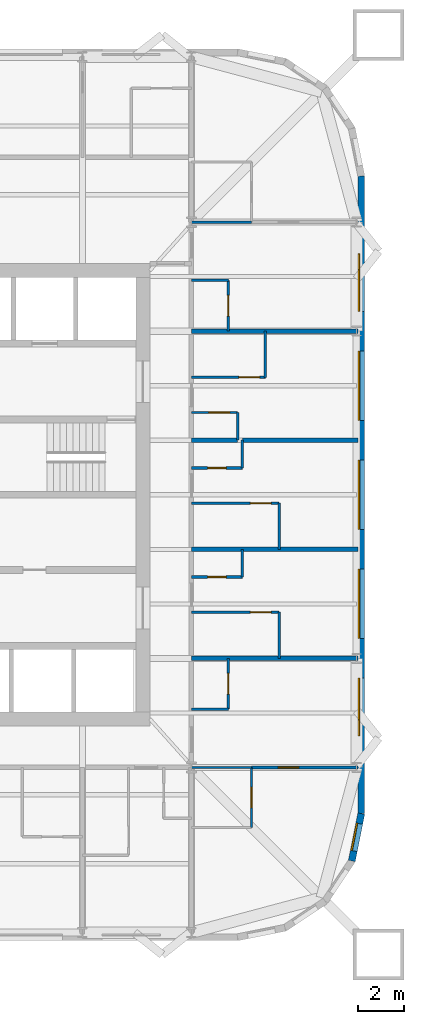
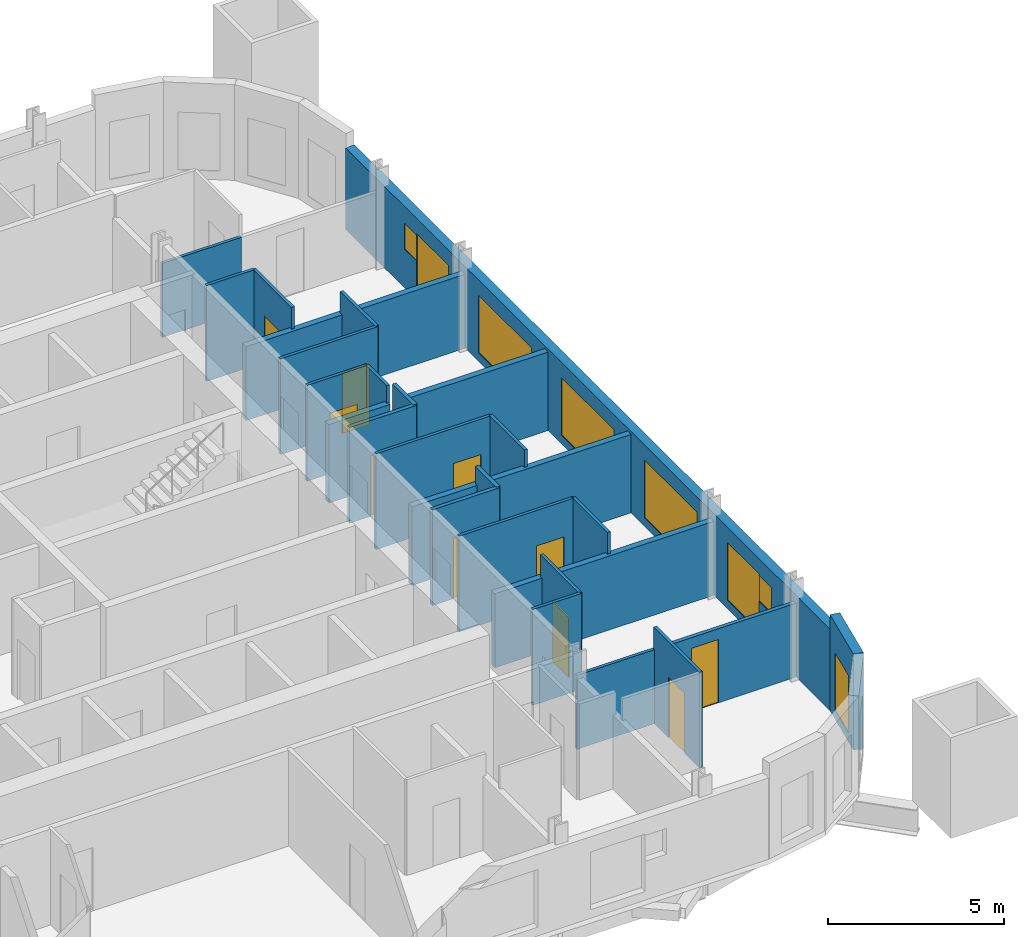
# One storey, part 6 of 9: 27 walls, 10 doors, 8 windows, 18 openings.
"""IFC4 building model written with IfcOpenShell, lengths in metres."""

from ifc_helpers import new_model, si_unit, direction, frame, frame_2d, origin, place, context, subcontext, project, spatial, rectangle, extrude, material, layer, layer_set, type_object, element, fill, save


model = new_model("IFC4")

# Units and contexts
model_context = context("Model", 3, precision=1e-05, world=origin(), true_north=direction((0.0, 1.0)))
body_context = subcontext(model_context, "Body", "Model", "MODEL_VIEW")
ifc_project = project(units=[si_unit("LENGTHUNIT", "METRE"), si_unit("AREAUNIT", "SQUARE_METRE"), si_unit("VOLUMEUNIT", "CUBIC_METRE"), si_unit("PLANEANGLEUNIT", "RADIAN"), si_unit("MASSUNIT", "GRAM", prefix="KILO")], contexts=[model_context])

# Site, building, storey
site_placement = place(None, origin())
site = spatial("IfcSite", under=ifc_project, at=site_placement, CompositionType="ELEMENT")
building_placement = place(site_placement, origin())
building = spatial("IfcBuilding", under=site, at=building_placement, Name="Turquesa Mirador Hotel Tower", CompositionType="ELEMENT")
storey_placement = place(building_placement, frame((0.0, 0.0, 207.300048828125)))
storey = spatial("IfcBuildingStorey", under=building, at=storey_placement, Name="L56", CompositionType="ELEMENT", Elevation=207.300048828125)

# Wall, opening, door
ifc_material_1 = material(Name="Gypsum board on steel studs", Category="steel")
ifc_layer_1 = layer(ifc_material_1, 0.10009765625)
ifc_layer_set_1 = layer_set([ifc_layer_1], Name="BATHROOM WALL 100")
wall_type_1 = type_object("IfcWallType", Name="BATHROOM WALL 100", PredefinedType="PARTITIONING", material=ifc_layer_set_1)
wall_1_placement = place(storey_placement, frame((66.800048828125, 44.639892578125, 0.0), z_axis=(0.0, 0.0, 1.0), x_axis=(1.0, 0.0, 0.0)))
wall_1 = element("IfcWall", 1, at=wall_1_placement, inside=storey, type_object=wall_type_1, Name="Partition L56 001", PredefinedType="PARTITIONING", context=body_context, shape_type="SweptSolid", body=[
    extrude(rectangle(XDim=3.800048828125, YDim=0.10009765625, at=frame_2d((1.89990234375, 0.0))), origin(), (0.0, 0.0, 1.0), 3.329833984375),
])
opening_1_placement = place(wall_1_placement, frame((2.550048828125, 0.0, 0.0)))
opening_1 = element("IfcOpeningElement", 2, at=opening_1_placement, cuts=wall_1, Name="Opening D02", PredefinedType="OPENING", context=body_context, shape_type="SweptSolid", body=[
    extrude(rectangle(XDim=0.89990234375, YDim=2.10009765625, at=frame_2d((0.449951171875, 1.050048828125))), frame((0.0, 0.06005859375, 0.0), z_axis=(0.0, -1.0, 0.0), x_axis=(1.0, 0.0, 0.0)), (0.0, 0.0, 1.0), 0.1201171875),
])
ifc_material_2 = material(Name="Timber veneered door", Category="wood")
door_type_1 = type_object("IfcDoorType", Name="DOOR 900X2100 EN-SUITE", OperationType="SINGLE_SWING_RIGHT", PredefinedType="DOOR", material=ifc_material_2)
door_1_placement = place(opening_1_placement, origin())
door_1 = element("IfcDoor", 3, at=door_1_placement, inside=storey, type_object=door_type_1, Name="Door 5608B", OperationType="SINGLE_SWING_RIGHT", OverallHeight=2.10009765625, OverallWidth=0.89990234375, PredefinedType="DOOR", context=body_context, shape_type="SweptSolid", body=[
    extrude(rectangle(XDim=0.89990234375, YDim=2.10009765625, at=frame_2d((0.449951171875, 1.050048828125))), frame((0.0, 0.02490234375, 0.0), z_axis=(0.0, -1.0, 0.0), x_axis=(1.0, 0.0, 0.0)), (0.0, 0.0, 1.0), 0.050048828125),
])
fill(opening_1, door_1)

# Wall
wall_2_placement = place(storey_placement, frame((66.800048828125, 33.199951171875, 0.0), z_axis=(0.0, 0.0, 1.0), x_axis=(1.0, 0.0, 0.0)))
element("IfcWall", 4, at=wall_2_placement, inside=storey, type_object=wall_type_1, Name="Partition L56 002", PredefinedType="PARTITIONING", context=body_context, shape_type="SweptSolid", body=[
    extrude(rectangle(XDim=2.599853515625, YDim=0.10009765625, at=frame_2d((1.2998046875, 0.0))), origin(), (0.0, 0.0, 1.0), 2.572998046875),
])

# Wall, opening, door
wall_3_placement = place(storey_placement, frame((66.800048828125, 39.919921875, 0.0), z_axis=(0.0, 0.0, 1.0), x_axis=(1.0, 0.0, 0.0)))
wall_3 = element("IfcWall", 5, at=wall_3_placement, inside=storey, type_object=wall_type_1, Name="Partition L56 015", PredefinedType="PARTITIONING", context=body_context, shape_type="SweptSolid", body=[
    extrude(rectangle(XDim=3.800048828125, YDim=0.10009765625, at=frame_2d((1.89990234375, 0.0))), origin(), (0.0, 0.0, 1.0), 3.329833984375),
])
opening_2_placement = place(wall_3_placement, frame((2.550048828125, 0.0, 0.0)))
opening_2 = element("IfcOpeningElement", 6, at=opening_2_placement, cuts=wall_3, Name="Opening D02", PredefinedType="OPENING", context=body_context, shape_type="SweptSolid", body=[
    extrude(rectangle(XDim=0.89990234375, YDim=2.10009765625, at=frame_2d((0.449951171875, 1.050048828125))), frame((0.0, 0.06005859375, 0.0), z_axis=(0.0, -1.0, 0.0), x_axis=(1.0, 0.0, 0.0)), (0.0, 0.0, 1.0), 0.1201171875),
])
door_2_placement = place(opening_2_placement, origin())
door_2 = element("IfcDoor", 7, at=door_2_placement, inside=storey, type_object=door_type_1, Name="Door 5607B", OperationType="SINGLE_SWING_RIGHT", OverallHeight=2.10009765625, OverallWidth=0.89990234375, PredefinedType="DOOR", context=body_context, shape_type="SweptSolid", body=[
    extrude(rectangle(XDim=0.89990234375, YDim=2.10009765625, at=frame_2d((0.449951171875, 1.050048828125))), frame((0.0, 0.02490234375, 0.0), z_axis=(0.0, -1.0, 0.0), x_axis=(1.0, 0.0, 0.0)), (0.0, 0.0, 1.0), 0.050048828125),
])
fill(opening_2, door_2)

# Walls
wall_4_placement = place(storey_placement, frame((66.800048828125, 35.719970703125, 0.0), z_axis=(0.0, 0.0, 1.0), x_axis=(1.0, 0.0, 0.0)))
element("IfcWall", 8, at=wall_4_placement, inside=storey, type_object=wall_type_1, Name="Partition L56 018", PredefinedType="PARTITIONING", context=body_context, shape_type="SweptSolid", body=[
    extrude(rectangle(XDim=1.599853515625, YDim=0.10009765625, at=frame_2d((0.7998046875, 0.0))), origin(), (0.0, 0.0, 1.0), 3.329833984375),
])
wall_5_placement = place(storey_placement, frame((66.800048828125, 56.800048828125, 0.0), z_axis=(0.0, 0.0, 1.0), x_axis=(1.0, 0.0, 0.0)))
element("IfcWall", 9, at=wall_5_placement, inside=storey, type_object=wall_type_1, Name="Partition L56 024", PredefinedType="PARTITIONING", context=body_context, shape_type="SweptSolid", body=[
    extrude(rectangle(XDim=2.599853515625, YDim=0.10009765625, at=frame_2d((1.2998046875, 0.0))), origin(), (0.0, 0.0, 1.0), 2.572998046875),
])

# Wall, opening, door
wall_6_placement = place(storey_placement, frame((66.800048828125, 48.56005859375, 0.0), z_axis=(0.0, 0.0, 1.0), x_axis=(1.0, 0.0, 0.0)))
wall_6 = element("IfcWall", 10, at=wall_6_placement, inside=storey, type_object=wall_type_1, Name="Partition L56 038", PredefinedType="PARTITIONING", context=body_context, shape_type="SweptSolid", body=[
    extrude(rectangle(XDim=2.0, YDim=0.10009765625, at=frame_2d((1.0, 0.0))), origin(), (0.0, 0.0, 1.0), 3.329833984375),
])
opening_3_placement = place(wall_6_placement, frame((0.75, 0.0, 0.0)))
opening_3 = element("IfcOpeningElement", 11, at=opening_3_placement, cuts=wall_6, Name="Opening D06", PredefinedType="OPENING", context=body_context, shape_type="SweptSolid", body=[
    extrude(rectangle(XDim=0.89990234375, YDim=2.10009765625, at=frame_2d((0.449951171875, 1.050048828125))), frame((0.0, 0.06005859375, 0.0), z_axis=(0.0, -1.0, 0.0), x_axis=(1.0, 0.0, 0.0)), (0.0, 0.0, 1.0), 0.1201171875),
])
ifc_material_3 = material(Name="Laminate door", Category="wood")
door_type_2 = type_object("IfcDoorType", Name="DOOR 900X2100 WC", OperationType="SINGLE_SWING_LEFT", PredefinedType="DOOR", material=ifc_material_3)
door_3_placement = place(opening_3_placement, origin())
door_3 = element("IfcDoor", 12, at=door_3_placement, inside=storey, type_object=door_type_2, Name="Door 5609W", OperationType="SINGLE_SWING_LEFT", OverallHeight=2.10009765625, OverallWidth=0.89990234375, PredefinedType="DOOR", context=body_context, shape_type="SweptSolid", body=[
    extrude(rectangle(XDim=0.89990234375, YDim=2.10009765625, at=frame_2d((0.449951171875, 1.050048828125))), frame((0.0, 0.02490234375, 0.0), z_axis=(0.0, -1.0, 0.0), x_axis=(1.0, 0.0, 0.0)), (0.0, 0.0, 1.0), 0.050048828125),
])
fill(opening_3, door_3)

wall_7_placement = place(storey_placement, frame((66.800048828125, 50.080078125, 0.0), z_axis=(0.0, 0.0, 1.0), x_axis=(1.0, 0.0, 0.0)))
wall_7 = element("IfcWall", 13, at=wall_7_placement, inside=storey, type_object=wall_type_1, Name="Partition L56 039", PredefinedType="PARTITIONING", context=body_context, shape_type="SweptSolid", body=[
    extrude(rectangle(XDim=3.199951171875, YDim=0.10009765625, at=frame_2d((1.60009765625, 0.0))), origin(), (0.0, 0.0, 1.0), 3.329833984375),
])
opening_4_placement = place(wall_7_placement, frame((2.050048828125, 0.0, 0.0)))
opening_4 = element("IfcOpeningElement", 14, at=opening_4_placement, cuts=wall_7, Name="Opening D02", PredefinedType="OPENING", context=body_context, shape_type="SweptSolid", body=[
    extrude(rectangle(XDim=0.89990234375, YDim=2.10009765625, at=frame_2d((0.449951171875, 1.050048828125))), frame((0.0, 0.06005859375, 0.0), z_axis=(0.0, -1.0, 0.0), x_axis=(1.0, 0.0, 0.0)), (0.0, 0.0, 1.0), 0.1201171875),
])
door_4_placement = place(opening_4_placement, origin())
door_4 = element("IfcDoor", 15, at=door_4_placement, inside=storey, type_object=door_type_1, Name="Door 5609B", OperationType="SINGLE_SWING_RIGHT", OverallHeight=2.10009765625, OverallWidth=0.89990234375, PredefinedType="DOOR", context=body_context, shape_type="SweptSolid", body=[
    extrude(rectangle(XDim=0.89990234375, YDim=2.10009765625, at=frame_2d((0.449951171875, 1.050048828125))), frame((0.0, 0.02490234375, 0.0), z_axis=(0.0, -1.0, 0.0), x_axis=(1.0, 0.0, 0.0)), (0.0, 0.0, 1.0), 0.050048828125),
])
fill(opening_4, door_4)

# Wall
wall_8_placement = place(storey_placement, frame((66.800048828125, 54.280029296875, 0.0), z_axis=(0.0, 0.0, 1.0), x_axis=(1.0, 0.0, 0.0)))
element("IfcWall", 16, at=wall_8_placement, inside=storey, type_object=wall_type_1, Name="Partition L56 043", PredefinedType="PARTITIONING", context=body_context, shape_type="SweptSolid", body=[
    extrude(rectangle(XDim=1.599853515625, YDim=0.10009765625, at=frame_2d((0.7998046875, 0.0))), origin(), (0.0, 0.0, 1.0), 3.329833984375),
])

# Wall, opening, door
wall_9_placement = place(storey_placement, frame((68.39990234375, 35.719970703125, 0.0), z_axis=(0.0, 0.0, 1.0), x_axis=(0.0, 1.0, 0.0)))
wall_9 = element("IfcWall", 17, at=wall_9_placement, inside=storey, type_object=wall_type_1, Name="Partition L56 069", PredefinedType="PARTITIONING", context=body_context, shape_type="SweptSolid", body=[
    extrude(rectangle(XDim=2.199951171875, YDim=0.10009765625, at=frame_2d((1.10009765625, 0.0))), origin(), (0.0, 0.0, 1.0), 3.329833984375),
])
opening_5_placement = place(wall_9_placement, frame((0.64990234375, 0.0, 0.0)))
opening_5 = element("IfcOpeningElement", 18, at=opening_5_placement, cuts=wall_9, Name="Opening D06", PredefinedType="OPENING", context=body_context, shape_type="SweptSolid", body=[
    extrude(rectangle(XDim=0.89990234375, YDim=2.10009765625, at=frame_2d((0.449951171875, 1.050048828125))), frame((0.0, 0.06005859375, 0.0), z_axis=(0.0, -1.0, 0.0), x_axis=(1.0, 0.0, 0.0)), (0.0, 0.0, 1.0), 0.1201171875),
])
door_5_placement = place(opening_5_placement, origin())
door_5 = element("IfcDoor", 19, at=door_5_placement, inside=storey, type_object=door_type_2, Name="Door 5615W", OperationType="SINGLE_SWING_LEFT", OverallHeight=2.10009765625, OverallWidth=0.89990234375, PredefinedType="DOOR", context=body_context, shape_type="SweptSolid", body=[
    extrude(rectangle(XDim=0.89990234375, YDim=2.10009765625, at=frame_2d((0.449951171875, 1.050048828125))), frame((0.0, 0.02490234375, 0.0), z_axis=(0.0, -1.0, 0.0), x_axis=(1.0, 0.0, 0.0)), (0.0, 0.0, 1.0), 0.050048828125),
])
fill(opening_5, door_5)

wall_10_placement = place(storey_placement, frame((68.39990234375, 52.080078125, 0.0), z_axis=(0.0, 0.0, 1.0), x_axis=(0.0, 1.0, 0.0)))
wall_10 = element("IfcWall", 20, at=wall_10_placement, inside=storey, type_object=wall_type_1, Name="Partition L56 070", PredefinedType="PARTITIONING", context=body_context, shape_type="SweptSolid", body=[
    extrude(rectangle(XDim=2.199951171875, YDim=0.10009765625, at=frame_2d((1.10009765625, 0.0))), origin(), (0.0, 0.0, 1.0), 3.329833984375),
])
opening_6_placement = place(wall_10_placement, frame((0.64990234375, 0.0, 0.0)))
opening_6 = element("IfcOpeningElement", 21, at=opening_6_placement, cuts=wall_10, Name="Opening D06", PredefinedType="OPENING", context=body_context, shape_type="SweptSolid", body=[
    extrude(rectangle(XDim=0.89990234375, YDim=2.10009765625, at=frame_2d((0.449951171875, 1.050048828125))), frame((0.0, 0.06005859375, 0.0), z_axis=(0.0, -1.0, 0.0), x_axis=(1.0, 0.0, 0.0)), (0.0, 0.0, 1.0), 0.1201171875),
])
door_6_placement = place(opening_6_placement, origin())
door_6 = element("IfcDoor", 22, at=door_6_placement, inside=storey, type_object=door_type_2, Name="Door 5612W", OperationType="SINGLE_SWING_LEFT", OverallHeight=2.10009765625, OverallWidth=0.89990234375, PredefinedType="DOOR", context=body_context, shape_type="SweptSolid", body=[
    extrude(rectangle(XDim=0.89990234375, YDim=2.10009765625, at=frame_2d((0.449951171875, 1.050048828125))), frame((0.0, 0.02490234375, 0.0), z_axis=(0.0, -1.0, 0.0), x_axis=(1.0, 0.0, 0.0)), (0.0, 0.0, 1.0), 0.050048828125),
])
fill(opening_6, door_6)

# Wall
wall_11_placement = place(storey_placement, frame((68.800048828125, 47.360107421875, 0.0), z_axis=(0.0, 0.0, 1.0), x_axis=(0.0, 1.0, 0.0)))
element("IfcWall", 23, at=wall_11_placement, inside=storey, type_object=wall_type_1, Name="Partition L56 071", PredefinedType="PARTITIONING", context=body_context, shape_type="SweptSolid", body=[
    extrude(rectangle(XDim=1.199951171875, YDim=0.10009765625, at=frame_2d((0.60009765625, 0.0))), origin(), (0.0, 0.0, 1.0), 3.329833984375),
])

# Wall, opening, door
wall_12_placement = place(storey_placement, frame((69.39990234375, 30.60009765625, 0.0), z_axis=(0.0, 0.0, 1.0), x_axis=(0.0, 1.0, 0.0)))
wall_12 = element("IfcWall", 24, at=wall_12_placement, inside=storey, type_object=wall_type_1, Name="Partition L56 074", PredefinedType="PARTITIONING", context=body_context, shape_type="SweptSolid", body=[
    extrude(rectangle(XDim=2.599853515625, YDim=0.10009765625, at=frame_2d((1.2998046875, 0.0))), origin(), (0.0, 0.0, 1.0), 3.329833984375),
])
opening_7_placement = place(wall_12_placement, frame((0.85009765625, 0.0, 0.0)))
opening_7 = element("IfcOpeningElement", 25, at=opening_7_placement, cuts=wall_12, Name="Opening D02", PredefinedType="OPENING", context=body_context, shape_type="SweptSolid", body=[
    extrude(rectangle(XDim=0.89990234375, YDim=2.10009765625, at=frame_2d((0.449951171875, 1.050048828125))), frame((0.0, 0.06005859375, 0.0), z_axis=(0.0, -1.0, 0.0), x_axis=(1.0, 0.0, 0.0)), (0.0, 0.0, 1.0), 0.1201171875),
])
door_7_placement = place(opening_7_placement, origin())
door_7 = element("IfcDoor", 26, at=door_7_placement, inside=storey, type_object=door_type_1, Name="Door 5615B", OperationType="SINGLE_SWING_RIGHT", OverallHeight=2.10009765625, OverallWidth=0.89990234375, PredefinedType="DOOR", context=body_context, shape_type="SweptSolid", body=[
    extrude(rectangle(XDim=0.89990234375, YDim=2.10009765625, at=frame_2d((0.449951171875, 1.050048828125))), frame((0.0, 0.02490234375, 0.0), z_axis=(0.0, -1.0, 0.0), x_axis=(1.0, 0.0, 0.0)), (0.0, 0.0, 1.0), 0.050048828125),
])
fill(opening_7, door_7)

# Walls
for number, where, z_axis, x_axis, name in (
    (27, (70.0, 50.080078125, 0.0), (0.0, 0.0, 1.0), (0.0, 1.0, 0.0), "Partition L56 076"),
    (28, (70.60009765625, 37.919921875, 0.0), (0.0, 0.0, 1.0), (0.0, 1.0, 0.0), "Partition L56 077"),
    (29, (70.60009765625, 42.639892578125, 0.0), (0.0, 0.0, 1.0), (0.0, 1.0, 0.0), "Partition L56 078"),
):
    element("IfcWall", number, at=place(storey_placement, frame(where, z_axis=z_axis, x_axis=x_axis)), inside=storey, type_object=wall_type_1, Name=name, PredefinedType="PARTITIONING", context=body_context, shape_type="SweptSolid", body=[
        extrude(rectangle(XDim=2.0, YDim=0.10009765625, at=frame_2d((1.0, 0.0))), origin(), (0.0, 0.0, 1.0), 3.329833984375),
    ])

# Wall, opening, window
ifc_material_4 = material(Name="Limestone cladding on concrete block", Category="masonry")
ifc_layer_2 = layer(ifc_material_4, 0.300048828125)
ifc_layer_set_2 = layer_set([ifc_layer_2], Name="FACADE WALL 300 STONE SCREEN")
wall_type_2 = type_object("IfcWallType", Name="FACADE WALL 300 STONE SCREEN", PredefinedType="SOLIDWALL", material=ifc_layer_set_2)
wall_13_placement = place(storey_placement, frame((73.74267578125, 29.152587890625, 0.0), z_axis=(0.0, 0.0, 1.0), x_axis=(0.195081421501, 0.980787050784, 0.0)))
wall_13 = element("IfcWall", 30, at=wall_13_placement, inside=storey, type_object=wall_type_2, Name="Facade wall L56 03", PredefinedType="SOLIDWALL", context=body_context, shape_type="SweptSolid", body=[
    extrude(rectangle(XDim=2.08740234375, YDim=0.300048828125, at=frame_2d((1.043701171875, 0.0))), origin(), (0.0, 0.0, 1.0), 3.329833984375),
])
opening_8_placement = place(wall_13_placement, frame((0.443603515625, 0.0, 0.300048828125)))
opening_8 = element("IfcOpeningElement", 31, at=opening_8_placement, cuts=wall_13, Name="Opening WN4", PredefinedType="OPENING", context=body_context, shape_type="SweptSolid", body=[
    extrude(rectangle(XDim=1.199951171875, YDim=2.0, at=frame_2d((0.60009765625, 1.0))), frame((0.0, 0.159912109375, 0.0), z_axis=(0.0, -1.0, 0.0), x_axis=(1.0, 0.0, 0.0)), (0.0, 0.0, 1.0), 0.320068359375),
])
ifc_material_5 = material(Name="Ceramic-fritted laminated glass", Category="glass")
window_type_1 = type_object("IfcWindowType", Name="FRITTED CORNER WINDOW 1200X2000", PartitioningType="DOUBLE_PANEL_HORIZONTAL", PredefinedType="WINDOW", material=ifc_material_5)
window_1_placement = place(opening_8_placement, origin())
window_1 = element("IfcWindow", 32, at=window_1_placement, inside=storey, type_object=window_type_1, Name="Window L56", OverallHeight=2.0, OverallWidth=1.199951171875, PartitioningType="SINGLE_PANEL", PredefinedType="WINDOW", context=body_context, shape_type="SweptSolid", body=[
    extrude(rectangle(XDim=1.199951171875, YDim=2.0, at=frame_2d((0.60009765625, 1.0))), frame((0.0, 0.130126953125, 0.0), z_axis=(0.0, -1.0, 0.0), x_axis=(1.0, 0.0, 0.0)), (0.0, 0.0, 1.0), 0.06005859375),
])
fill(opening_8, window_1)

# Wall, openings, windows
wall_14_placement = place(storey_placement, frame((74.14990234375, 31.199951171875, 0.0), z_axis=(0.0, 0.0, 1.0), x_axis=(0.0, 1.0, 0.0)))
wall_14 = element("IfcWall", 33, at=wall_14_placement, inside=storey, type_object=wall_type_2, Name="Facade wall L56 04", PredefinedType="SOLIDWALL", context=body_context, shape_type="SweptSolid", body=[
    extrude(rectangle(XDim=27.60009765625, YDim=0.300048828125, at=frame_2d((13.800048828125, 0.0))), origin(), (0.0, 0.0, 1.0), 2.829833984375),
])
opening_9_placement = place(wall_14_placement, frame((4.06005859375, 0.0, 0.300048828125)))
opening_9 = element("IfcOpeningElement", 34, at=opening_9_placement, cuts=wall_14, Name="Opening WN47", PredefinedType="OPENING", context=body_context, shape_type="SweptSolid", body=[
    extrude(rectangle(XDim=1.800048828125, YDim=2.0, at=frame_2d((0.89990234375, 1.0))), frame((0.0, 0.159912109375, 0.0), z_axis=(0.0, -1.0, 0.0), x_axis=(1.0, 0.0, 0.0)), (0.0, 0.0, 1.0), 0.320068359375),
])
opening_10_placement = place(wall_14_placement, frame((7.580078125, 0.0, 0.300048828125)))
opening_10 = element("IfcOpeningElement", 35, at=opening_10_placement, cuts=wall_14, Name="Opening WN1", PredefinedType="OPENING", context=body_context, shape_type="SweptSolid", body=[
    extrude(rectangle(XDim=3.0, YDim=2.0, at=frame_2d((1.5, 1.0))), frame((0.0, 0.159912109375, 0.0), z_axis=(0.0, -1.0, 0.0), x_axis=(1.0, 0.0, 0.0)), (0.0, 0.0, 1.0), 0.320068359375),
])
opening_11_placement = place(wall_14_placement, frame((12.300048828125, 0.0, 0.300048828125)))
opening_11 = element("IfcOpeningElement", 36, at=opening_11_placement, cuts=wall_14, Name="Opening WN1", PredefinedType="OPENING", context=body_context, shape_type="SweptSolid", body=[
    extrude(rectangle(XDim=3.0, YDim=2.0, at=frame_2d((1.5, 1.0))), frame((0.0, 0.159912109375, 0.0), z_axis=(0.0, -1.0, 0.0), x_axis=(1.0, 0.0, 0.0)), (0.0, 0.0, 1.0), 0.320068359375),
])
opening_12_placement = place(wall_14_placement, frame((17.02001953125, 0.0, 0.300048828125)))
opening_12 = element("IfcOpeningElement", 37, at=opening_12_placement, cuts=wall_14, Name="Opening WN1", PredefinedType="OPENING", context=body_context, shape_type="SweptSolid", body=[
    extrude(rectangle(XDim=3.0, YDim=2.0, at=frame_2d((1.5, 1.0))), frame((0.0, 0.159912109375, 0.0), z_axis=(0.0, -1.0, 0.0), x_axis=(1.0, 0.0, 0.0)), (0.0, 0.0, 1.0), 0.320068359375),
])
opening_13_placement = place(wall_14_placement, frame((21.739990234375, 0.0, 0.300048828125)))
opening_13 = element("IfcOpeningElement", 38, at=opening_13_placement, cuts=wall_14, Name="Opening WN47", PredefinedType="OPENING", context=body_context, shape_type="SweptSolid", body=[
    extrude(rectangle(XDim=1.800048828125, YDim=2.0, at=frame_2d((0.89990234375, 1.0))), frame((0.0, 0.159912109375, 0.0), z_axis=(0.0, -1.0, 0.0), x_axis=(1.0, 0.0, 0.0)), (0.0, 0.0, 1.0), 0.320068359375),
])
opening_14_placement = place(wall_14_placement, frame((3.360107421875, 0.0, 1.35009765625)))
opening_14 = element("IfcOpeningElement", 39, at=opening_14_placement, cuts=wall_14, Name="Opening WN31", PredefinedType="OPENING", context=body_context, shape_type="SweptSolid", body=[
    extrude(rectangle(XDim=0.699951171875, YDim=0.89990234375, at=frame_2d((0.35009765625, 0.449951171875))), frame((0.0, 0.159912109375, 0.0), z_axis=(0.0, -1.0, 0.0), x_axis=(1.0, 0.0, 0.0)), (0.0, 0.0, 1.0), 0.320068359375),
])
opening_15_placement = place(wall_14_placement, frame((23.5400390625, 0.0, 1.35009765625)))
opening_15 = element("IfcOpeningElement", 40, at=opening_15_placement, cuts=wall_14, Name="Opening WN31", PredefinedType="OPENING", context=body_context, shape_type="SweptSolid", body=[
    extrude(rectangle(XDim=0.699951171875, YDim=0.89990234375, at=frame_2d((0.35009765625, 0.449951171875))), frame((0.0, 0.159912109375, 0.0), z_axis=(0.0, -1.0, 0.0), x_axis=(1.0, 0.0, 0.0)), (0.0, 0.0, 1.0), 0.320068359375),
])
ifc_material_6 = material(Name="Ceramic-fritted laminated glass", Category="glass")
window_type_2 = type_object("IfcWindowType", Name="FRITTED WINDOW 1800X2000", PartitioningType="DOUBLE_PANEL_HORIZONTAL", PredefinedType="WINDOW", material=ifc_material_6)
window_2_placement = place(opening_9_placement, origin())
window_2 = element("IfcWindow", 41, at=window_2_placement, inside=storey, type_object=window_type_2, Name="Window L56", OverallHeight=2.0, OverallWidth=1.800048828125, PartitioningType="SINGLE_PANEL", PredefinedType="WINDOW", context=body_context, shape_type="SweptSolid", body=[
    extrude(rectangle(XDim=1.800048828125, YDim=2.0, at=frame_2d((0.89990234375, 1.0))), frame((0.0, 0.130126953125, 0.0), z_axis=(0.0, -1.0, 0.0), x_axis=(1.0, 0.0, 0.0)), (0.0, 0.0, 1.0), 0.06005859375),
])
fill(opening_9, window_2)
window_3_placement = place(opening_13_placement, origin())
window_3 = element("IfcWindow", 42, at=window_3_placement, inside=storey, type_object=window_type_2, Name="Window L56", OverallHeight=2.0, OverallWidth=1.800048828125, PartitioningType="SINGLE_PANEL", PredefinedType="WINDOW", context=body_context, shape_type="SweptSolid", body=[
    extrude(rectangle(XDim=1.800048828125, YDim=2.0, at=frame_2d((0.89990234375, 1.0))), frame((0.0, 0.130126953125, 0.0), z_axis=(0.0, -1.0, 0.0), x_axis=(1.0, 0.0, 0.0)), (0.0, 0.0, 1.0), 0.06005859375),
])
fill(opening_13, window_3)
ifc_material_7 = material(Name="Ceramic-fritted laminated glass", Category="glass")
window_type_3 = type_object("IfcWindowType", Name="FRITTED WINDOW 3000X2000", PartitioningType="DOUBLE_PANEL_HORIZONTAL", PredefinedType="WINDOW", material=ifc_material_7)
window_4_placement = place(opening_10_placement, origin())
window_4 = element("IfcWindow", 43, at=window_4_placement, inside=storey, type_object=window_type_3, Name="Window L56", OverallHeight=2.0, OverallWidth=3.0, PartitioningType="SINGLE_PANEL", PredefinedType="WINDOW", context=body_context, shape_type="SweptSolid", body=[
    extrude(rectangle(XDim=3.0, YDim=2.0, at=frame_2d((1.5, 1.0))), frame((0.0, 0.130126953125, 0.0), z_axis=(0.0, -1.0, 0.0), x_axis=(1.0, 0.0, 0.0)), (0.0, 0.0, 1.0), 0.06005859375),
])
fill(opening_10, window_4)
window_5_placement = place(opening_11_placement, origin())
window_5 = element("IfcWindow", 44, at=window_5_placement, inside=storey, type_object=window_type_3, Name="Window L56", OverallHeight=2.0, OverallWidth=3.0, PartitioningType="SINGLE_PANEL", PredefinedType="WINDOW", context=body_context, shape_type="SweptSolid", body=[
    extrude(rectangle(XDim=3.0, YDim=2.0, at=frame_2d((1.5, 1.0))), frame((0.0, 0.130126953125, 0.0), z_axis=(0.0, -1.0, 0.0), x_axis=(1.0, 0.0, 0.0)), (0.0, 0.0, 1.0), 0.06005859375),
])
fill(opening_11, window_5)
window_6_placement = place(opening_12_placement, origin())
window_6 = element("IfcWindow", 45, at=window_6_placement, inside=storey, type_object=window_type_3, Name="Window L56", OverallHeight=2.0, OverallWidth=3.0, PartitioningType="SINGLE_PANEL", PredefinedType="WINDOW", context=body_context, shape_type="SweptSolid", body=[
    extrude(rectangle(XDim=3.0, YDim=2.0, at=frame_2d((1.5, 1.0))), frame((0.0, 0.130126953125, 0.0), z_axis=(0.0, -1.0, 0.0), x_axis=(1.0, 0.0, 0.0)), (0.0, 0.0, 1.0), 0.06005859375),
])
fill(opening_12, window_6)
ifc_material_8 = material(Name="Ceramic-fritted laminated glass", Category="glass")
window_type_4 = type_object("IfcWindowType", Name="FRITTED WINDOW 700X900", PartitioningType="DOUBLE_PANEL_HORIZONTAL", PredefinedType="WINDOW", material=ifc_material_8)
window_7_placement = place(opening_14_placement, origin())
window_7 = element("IfcWindow", 46, at=window_7_placement, inside=storey, type_object=window_type_4, Name="Window L56", OverallHeight=0.89990234375, OverallWidth=0.699951171875, PartitioningType="SINGLE_PANEL", PredefinedType="WINDOW", context=body_context, shape_type="SweptSolid", body=[
    extrude(rectangle(XDim=0.699951171875, YDim=0.89990234375, at=frame_2d((0.35009765625, 0.449951171875))), frame((0.0, 0.130126953125, 0.0), z_axis=(0.0, -1.0, 0.0), x_axis=(1.0, 0.0, 0.0)), (0.0, 0.0, 1.0), 0.06005859375),
])
fill(opening_14, window_7)
window_8_placement = place(opening_15_placement, origin())
window_8 = element("IfcWindow", 47, at=window_8_placement, inside=storey, type_object=window_type_4, Name="Window L56", OverallHeight=0.89990234375, OverallWidth=0.699951171875, PartitioningType="SINGLE_PANEL", PredefinedType="WINDOW", context=body_context, shape_type="SweptSolid", body=[
    extrude(rectangle(XDim=0.699951171875, YDim=0.89990234375, at=frame_2d((0.35009765625, 0.449951171875))), frame((0.0, 0.130126953125, 0.0), z_axis=(0.0, -1.0, 0.0), x_axis=(1.0, 0.0, 0.0)), (0.0, 0.0, 1.0), 0.06005859375),
])
fill(opening_15, window_8)

# Walls
ifc_material_9 = material(Name="Fire-rated gypsum board on steel studs", Category="steel")
ifc_layer_3 = layer(ifc_material_9, 0.199951171875)
ifc_layer_set_3 = layer_set([ifc_layer_3], Name="PARTY WALL 200")
wall_type_3 = type_object("IfcWallType", Name="PARTY WALL 200", PredefinedType="PARTITIONING", material=ifc_layer_set_3)
wall_15_placement = place(storey_placement, frame((66.800048828125, 42.639892578125, 0.0), z_axis=(0.0, 0.0, 1.0), x_axis=(1.0, 0.0, 0.0)))
element("IfcWall", 48, at=wall_15_placement, inside=storey, type_object=wall_type_3, Name="Partition L56 012", PredefinedType="PARTITIONING", context=body_context, shape_type="SweptSolid", body=[
    extrude(rectangle(XDim=7.199951171875, YDim=0.199951171875, at=frame_2d((3.60009765625, 0.0))), origin(), (0.0, 0.0, 1.0), 2.73046875),
])
wall_16_placement = place(storey_placement, frame((66.800048828125, 37.919921875, 0.0), z_axis=(0.0, 0.0, 1.0), x_axis=(1.0, 0.0, 0.0)))
element("IfcWall", 49, at=wall_16_placement, inside=storey, type_object=wall_type_3, Name="Partition L56 017", PredefinedType="PARTITIONING", context=body_context, shape_type="SweptSolid", body=[
    extrude(rectangle(XDim=7.199951171875, YDim=0.199951171875, at=frame_2d((3.60009765625, 0.0))), origin(), (0.0, 0.0, 1.0), 2.572998046875),
])
wall_17_placement = place(storey_placement, frame((66.800048828125, 47.360107421875, 0.0), z_axis=(0.0, 0.0, 1.0), x_axis=(1.0, 0.0, 0.0)))
element("IfcWall", 50, at=wall_17_placement, inside=storey, type_object=wall_type_3, Name="Partition L56 036", PredefinedType="PARTITIONING", context=body_context, shape_type="SweptSolid", body=[
    extrude(rectangle(XDim=2.0, YDim=0.199951171875, at=frame_2d((1.0, 0.0))), origin(), (0.0, 0.0, 1.0), 2.73046875),
])
wall_18_placement = place(storey_placement, frame((69.0, 47.360107421875, 0.0), z_axis=(0.0, 0.0, 1.0), x_axis=(1.0, 0.0, 0.0)))
element("IfcWall", 51, at=wall_18_placement, inside=storey, type_object=wall_type_3, Name="Partition L56 037", PredefinedType="PARTITIONING", context=body_context, shape_type="SweptSolid", body=[
    extrude(rectangle(XDim=5.0, YDim=0.199951171875, at=frame_2d((2.5, 0.0))), origin(), (0.0, 0.0, 1.0), 2.73046875),
])
wall_19_placement = place(storey_placement, frame((66.800048828125, 52.080078125, 0.0), z_axis=(0.0, 0.0, 1.0), x_axis=(1.0, 0.0, 0.0)))
element("IfcWall", 52, at=wall_19_placement, inside=storey, type_object=wall_type_3, Name="Partition L56 042", PredefinedType="PARTITIONING", context=body_context, shape_type="SweptSolid", body=[
    extrude(rectangle(XDim=7.199951171875, YDim=0.199951171875, at=frame_2d((3.60009765625, 0.0))), origin(), (0.0, 0.0, 1.0), 2.572998046875),
])

# Wall, opening, door
ifc_material_10 = material(Name="Acoustic gypsum board on steel studs", Category="steel")
ifc_layer_4 = layer(ifc_material_10, 0.125)
ifc_layer_set_4 = layer_set([ifc_layer_4], Name="SUITE PARTITION 125")
wall_type_4 = type_object("IfcWallType", Name="SUITE PARTITION 125", PredefinedType="PARTITIONING", material=ifc_layer_set_4)
wall_20_placement = place(storey_placement, frame((69.39990234375, 33.199951171875, 0.0), z_axis=(0.0, 0.0, 1.0), x_axis=(1.0, 0.0, 0.0)))
wall_20 = element("IfcWall", 53, at=wall_20_placement, inside=storey, type_object=wall_type_4, Name="Partition L56 005", PredefinedType="PARTITIONING", context=body_context, shape_type="SweptSolid", body=[
    extrude(rectangle(XDim=4.60009765625, YDim=0.125, at=frame_2d((2.300048828125, 0.0))), origin(), (0.0, 0.0, 1.0), 2.572998046875),
])
opening_16_placement = place(wall_20_placement, frame((1.14990234375, 0.0, 0.0)))
opening_16 = element("IfcOpeningElement", 54, at=opening_16_placement, cuts=wall_20, Name="Opening D17", PredefinedType="OPENING", context=body_context, shape_type="SweptSolid", body=[
    extrude(rectangle(XDim=0.89990234375, YDim=2.199951171875, at=frame_2d((0.449951171875, 1.10009765625))), frame((0.0, 0.072509765625, 0.0), z_axis=(0.0, -1.0, 0.0), x_axis=(1.0, 0.0, 0.0)), (0.0, 0.0, 1.0), 0.14501953125),
])
ifc_material_11 = material(Name="Timber veneered door", Category="wood")
door_type_3 = type_object("IfcDoorType", Name="DOOR 900X2200 SUITE INTERNAL", OperationType="SINGLE_SWING_LEFT", PredefinedType="DOOR", material=ifc_material_11)
door_8_placement = place(opening_16_placement, origin())
door_8 = element("IfcDoor", 55, at=door_8_placement, inside=storey, type_object=door_type_3, Name="Door 5615R", OperationType="SINGLE_SWING_LEFT", OverallHeight=2.199951171875, OverallWidth=0.89990234375, PredefinedType="DOOR", context=body_context, shape_type="SweptSolid", body=[
    extrude(rectangle(XDim=0.89990234375, YDim=2.199951171875, at=frame_2d((0.449951171875, 1.10009765625))), frame((0.0, 0.02490234375, 0.0), z_axis=(0.0, -1.0, 0.0), x_axis=(1.0, 0.0, 0.0)), (0.0, 0.0, 1.0), 0.050048828125),
])
fill(opening_16, door_8)

wall_21_placement = place(storey_placement, frame((66.800048828125, 41.43994140625, 0.0), z_axis=(0.0, 0.0, 1.0), x_axis=(1.0, 0.0, 0.0)))
wall_21 = element("IfcWall", 56, at=wall_21_placement, inside=storey, type_object=wall_type_4, Name="Partition L56 013", PredefinedType="PARTITIONING", context=body_context, shape_type="SweptSolid", body=[
    extrude(rectangle(XDim=2.199951171875, YDim=0.125, at=frame_2d((1.10009765625, 0.0))), origin(), (0.0, 0.0, 1.0), 3.329833984375),
])
opening_17_placement = place(wall_21_placement, frame((0.699951171875, 0.0, 0.0)))
opening_17 = element("IfcOpeningElement", 57, at=opening_17_placement, cuts=wall_21, Name="Opening D20", PredefinedType="OPENING", context=body_context, shape_type="SweptSolid", body=[
    extrude(rectangle(XDim=0.800048828125, YDim=2.10009765625, at=frame_2d((0.39990234375, 1.050048828125))), frame((0.0, 0.072509765625, 0.0), z_axis=(0.0, -1.0, 0.0), x_axis=(1.0, 0.0, 0.0)), (0.0, 0.0, 1.0), 0.14501953125),
])
ifc_material_12 = material(Name="Timber veneered sliding door", Category="wood")
door_type_4 = type_object("IfcDoorType", Name="DOOR 800X2100 WARDROBE", OperationType="SLIDING_TO_LEFT", PredefinedType="DOOR", material=ifc_material_12)
door_9_placement = place(opening_17_placement, origin())
door_9 = element("IfcDoor", 58, at=door_9_placement, inside=storey, type_object=door_type_4, Name="Door 5607W", OperationType="SLIDING_TO_LEFT", OverallHeight=2.10009765625, OverallWidth=0.800048828125, PredefinedType="DOOR", context=body_context, shape_type="SweptSolid", body=[
    extrude(rectangle(XDim=0.800048828125, YDim=2.10009765625, at=frame_2d((0.39990234375, 1.050048828125))), frame((0.0, 0.02490234375, 0.0), z_axis=(0.0, -1.0, 0.0), x_axis=(1.0, 0.0, 0.0)), (0.0, 0.0, 1.0), 0.050048828125),
])
fill(opening_17, door_9)

wall_22_placement = place(storey_placement, frame((66.800048828125, 46.159912109375, 0.0), z_axis=(0.0, 0.0, 1.0), x_axis=(1.0, 0.0, 0.0)))
wall_22 = element("IfcWall", 59, at=wall_22_placement, inside=storey, type_object=wall_type_4, Name="Partition L56 021", PredefinedType="PARTITIONING", context=body_context, shape_type="SweptSolid", body=[
    extrude(rectangle(XDim=2.199951171875, YDim=0.125, at=frame_2d((1.10009765625, 0.0))), origin(), (0.0, 0.0, 1.0), 3.329833984375),
])
opening_18_placement = place(wall_22_placement, frame((0.699951171875, 0.0, 0.0)))
opening_18 = element("IfcOpeningElement", 60, at=opening_18_placement, cuts=wall_22, Name="Opening D20", PredefinedType="OPENING", context=body_context, shape_type="SweptSolid", body=[
    extrude(rectangle(XDim=0.800048828125, YDim=2.10009765625, at=frame_2d((0.39990234375, 1.050048828125))), frame((0.0, 0.072509765625, 0.0), z_axis=(0.0, -1.0, 0.0), x_axis=(1.0, 0.0, 0.0)), (0.0, 0.0, 1.0), 0.14501953125),
])
door_10_placement = place(opening_18_placement, origin())
door_10 = element("IfcDoor", 61, at=door_10_placement, inside=storey, type_object=door_type_4, Name="Door 5608W", OperationType="SLIDING_TO_LEFT", OverallHeight=2.10009765625, OverallWidth=0.800048828125, PredefinedType="DOOR", context=body_context, shape_type="SweptSolid", body=[
    extrude(rectangle(XDim=0.800048828125, YDim=2.10009765625, at=frame_2d((0.39990234375, 1.050048828125))), frame((0.0, 0.02490234375, 0.0), z_axis=(0.0, -1.0, 0.0), x_axis=(1.0, 0.0, 0.0)), (0.0, 0.0, 1.0), 0.050048828125),
])
fill(opening_18, door_10)

# Walls
wall_23_placement = place(storey_placement, frame((69.0, 41.43994140625, 0.0), z_axis=(0.0, 0.0, 1.0), x_axis=(0.0, 1.0, 0.0)))
element("IfcWall", 62, at=wall_23_placement, inside=storey, type_object=wall_type_4, Name="Partition L56 072", PredefinedType="PARTITIONING", context=body_context, shape_type="SweptSolid", body=[
    extrude(rectangle(XDim=1.199951171875, YDim=0.125, at=frame_2d((0.60009765625, 0.0))), origin(), (0.0, 0.0, 1.0), 3.329833984375),
])
wall_24_placement = place(storey_placement, frame((69.0, 46.159912109375, 0.0), z_axis=(0.0, 0.0, 1.0), x_axis=(0.0, 1.0, 0.0)))
element("IfcWall", 63, at=wall_24_placement, inside=storey, type_object=wall_type_4, Name="Partition L56 073", PredefinedType="PARTITIONING", context=body_context, shape_type="SweptSolid", body=[
    extrude(rectangle(XDim=1.2001953125, YDim=0.125, at=frame_2d((0.60009765625, 0.0))), origin(), (0.0, 0.0, 1.0), 3.329833984375),
])

save(model, "model.ifc")
